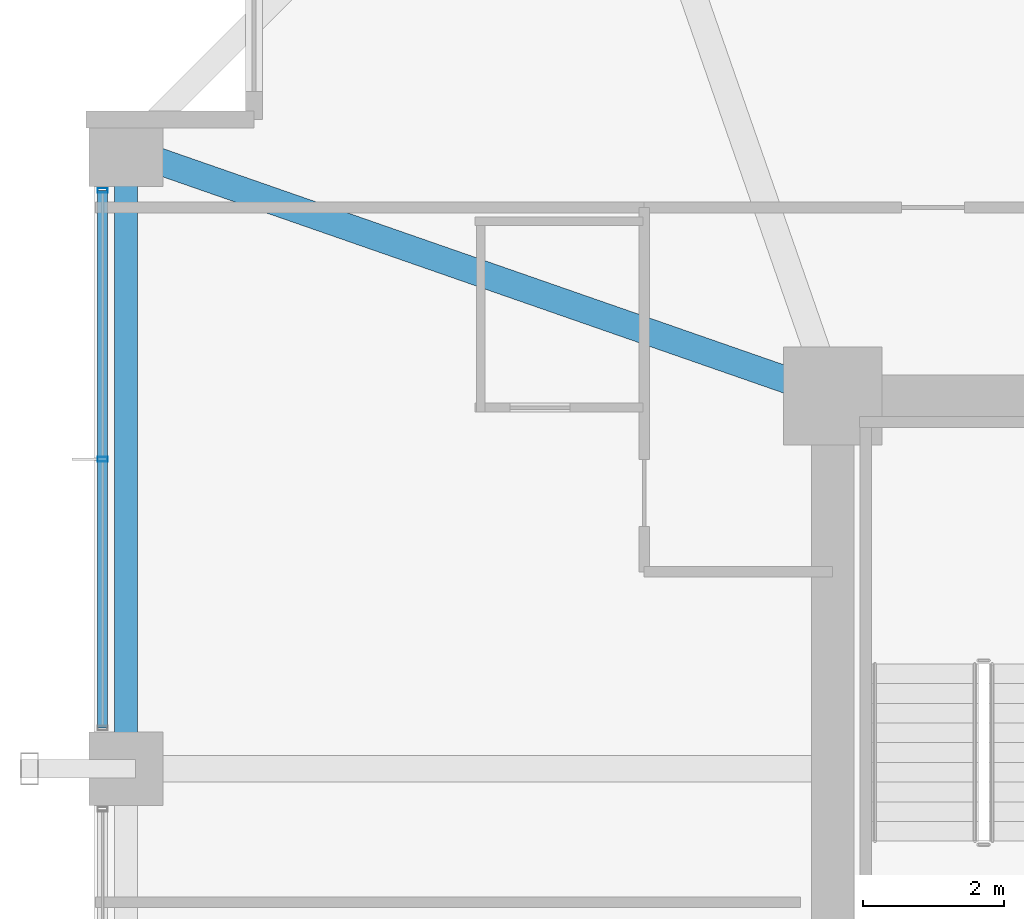
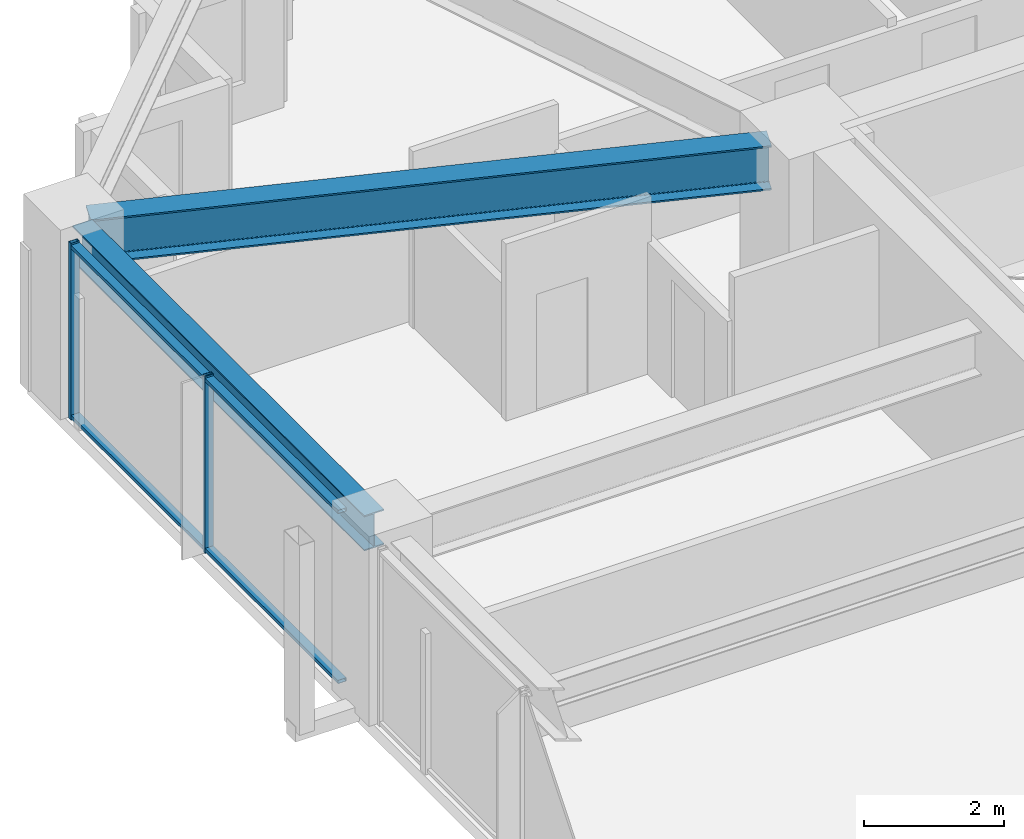
# One storey, part 18 of 38: 4 members, 2 beams, 1 element without a shape of its own.
"""IFC4 building model written with IfcOpenShell, lengths in metres."""

from ifc_helpers import new_model, si_unit, direction, frame, origin, origin_2d, place, context, subcontext, project, spatial, hollow_rectangle, i_section, extrude, material, material_profile, profile_set, type_object, element, aggregate, save


model = new_model("IFC4")

# Units and contexts
model_context = context("Model", 3, precision=1e-05, world=origin(), true_north=direction((0.0, 1.0)))
body_context = subcontext(model_context, "Body", "Model", "MODEL_VIEW")
ifc_project = project(units=[si_unit("LENGTHUNIT", "METRE"), si_unit("AREAUNIT", "SQUARE_METRE"), si_unit("VOLUMEUNIT", "CUBIC_METRE"), si_unit("PLANEANGLEUNIT", "RADIAN"), si_unit("MASSUNIT", "GRAM", prefix="KILO")], contexts=[model_context])

# Site, building, storey
site_placement = place(None, origin())
site = spatial("IfcSite", under=ifc_project, at=site_placement, CompositionType="ELEMENT")
building_placement = place(site_placement, origin())
building = spatial("IfcBuilding", under=site, at=building_placement, Name="Kolvaren Belvedere", CompositionType="ELEMENT")
storey_placement = place(building_placement, frame((0.0, 0.0, 78.800048828125)))
storey = spatial("IfcBuildingStorey", under=building, at=storey_placement, Name="L22", CompositionType="ELEMENT", Elevation=78.800048828125)

# Beams
ifc_material_1 = material(Name="Structural steel ASTM A992 Grade 50", Category="steel")
ifc_material_profile_1 = material_profile(ifc_material_1, i_section(OverallWidth=0.381103515625, OverallDepth=0.77294921875, WebThickness=0.0166015625, FlangeThickness=0.027099609375, FilletRadius=0.02392578125, at=origin_2d()), Name="W30X173")
ifc_profile_set_1 = profile_set([ifc_material_profile_1], Name="Structural steel ASTM A992 Grade 50")
beam_type_1 = type_object("IfcBeamType", Name="BM-GIRD-W30X173", PredefinedType="BEAM", material=ifc_profile_set_1)
beam_1_placement = place(storey_placement, frame((-10.41943359375, 10.080810546875, 2.693359375), z_axis=(-0.944371408538, 0.328880894453, 0.0), x_axis=(-0.328880894453, -0.944371408538, 0.0)))
element("IfcBeam", 1, at=beam_1_placement, inside=storey, type_object=beam_type_1, Name="L22 Corner Core-to-Perimeter Girder CC4-W4", PredefinedType="BEAM", context=body_context, shape_type="SweptSolid", body=[
    extrude(i_section(OverallWidth=0.381103515625, OverallDepth=0.77294921875, WebThickness=0.0166015625, FlangeThickness=0.027099609375, FilletRadius=0.02392578125, at=origin_2d()), origin(), (0.0, 0.0, 1.0), 9.882080078125),
])
ifc_material_2 = material(Name="Structural steel ASTM A992 Grade 50", Category="steel")
ifc_material_profile_2 = material_profile(ifc_material_2, i_section(OverallWidth=0.324951171875, OverallDepth=0.615966796875, WebThickness=0.013916015625, FlangeThickness=0.021484375, FilletRadius=0.02001953125, at=origin_2d()), Name="W24X117")
ifc_profile_set_2 = profile_set([ifc_material_profile_2], Name="Structural steel ASTM A992 Grade 50")
beam_type_2 = type_object("IfcBeamType", Name="BM-SPAN-W24X117", PredefinedType="SPANDREL", material=ifc_profile_set_2)
beam_2_placement = place(storey_placement, frame((-19.949951171875, 13.163818359375, 2.77197265625), z_axis=(0.0, -1.0, 0.0), x_axis=(1.0, 0.0, 0.0)))
element("IfcBeam", 2, at=beam_2_placement, inside=storey, type_object=beam_type_2, Name="L22 Perimeter Spandrel W4-W3", PredefinedType="SPANDREL", context=body_context, shape_type="SweptSolid", body=[
    extrude(i_section(OverallWidth=0.324951171875, OverallDepth=0.615966796875, WebThickness=0.013916015625, FlangeThickness=0.021484375, FilletRadius=0.02001953125, at=origin_2d()), origin(), (0.0, 0.0, 1.0), 8.32763671875),
])

# Curtain wall, members
ifc_material_3 = material(Name="Anodised pale-metal aluminium AA 6063-T6", Category="aluminium")
curtain_wall_type = type_object("IfcCurtainWallType", Name="CW-Z2-MID", PredefinedType="NOTDEFINED", material=ifc_material_3)
curtain_wall_placement = place(storey_placement, origin())
curtain_wall = element("IfcCurtainWall", 3, at=curtain_wall_placement, inside=storey, type_object=curtain_wall_type, Name="L22 Unitised Curtain Wall FCW-L22-W-B3", PredefinedType="NOTDEFINED")
ifc_material_4 = material(Name="Anodised pale-metal aluminium AA 6063-T6", Category="aluminium")
ifc_material_profile_3 = material_profile(ifc_material_4, hollow_rectangle(XDim=0.06494140625, YDim=0.139892578125, WallThickness=0.00390625, at=origin_2d()), Name="ALU-MUL-140X65")
ifc_profile_set_3 = profile_set([ifc_material_profile_3], Name="Anodised pale-metal aluminium AA 6063-T6")
member_type_1 = type_object("IfcMemberType", Name="CW-MUL-140", PredefinedType="MULLION", material=ifc_profile_set_3)
member_1_placement = place(storey_placement, frame((-20.280029296875, 9.0, 0.0), z_axis=(0.0, 0.0, 1.0), x_axis=(0.0, 1.0, 0.0)))
member_1 = element("IfcMember", 4, at=member_1_placement, type_object=member_type_1, Name="FCW-L22-W-B3 Unitised Mullion 2", PredefinedType="MULLION", context=body_context, shape_type="SweptSolid", body=[
    extrude(hollow_rectangle(XDim=0.06494140625, YDim=0.139892578125, WallThickness=0.00390625, at=origin_2d()), origin(), (0.0, 0.0, 1.0), 3.079833984375),
])
member_2_placement = place(storey_placement, frame((-20.280029296875, 12.822509765625, 0.0), z_axis=(0.0, 0.0, 1.0), x_axis=(0.0, 1.0, 0.0)))
member_2 = element("IfcMember", 5, at=member_2_placement, type_object=member_type_1, Name="FCW-L22-W-B3 Unitised Mullion 3", PredefinedType="MULLION", context=body_context, shape_type="SweptSolid", body=[
    extrude(hollow_rectangle(XDim=0.06494140625, YDim=0.139892578125, WallThickness=0.00390625, at=origin_2d()), origin(), (0.0, 0.0, 1.0), 3.079833984375),
])
ifc_material_5 = material(Name="Anodised pale-metal aluminium AA 6063-T6", Category="aluminium")
ifc_material_profile_4 = material_profile(ifc_material_5, hollow_rectangle(XDim=0.06005859375, YDim=0.139892578125, WallThickness=0.00390625, at=origin_2d()), Name="ALU-TRN-140X60")
ifc_profile_set_4 = profile_set([ifc_material_profile_4], Name="Anodised pale-metal aluminium AA 6063-T6")
member_type_2 = type_object("IfcMemberType", Name="CW-TRN-140", PredefinedType="USERDEFINED", material=ifc_profile_set_4)
member_3_placement = place(storey_placement, frame((-20.280029296875, 5.177490234375, 0.06005859375), z_axis=(0.0, 1.0, 0.0), x_axis=(0.0, 0.0, 1.0)))
member_3 = element("IfcMember", 6, at=member_3_placement, type_object=member_type_2, Name="FCW-L22-W-B3 Sill Transom", ObjectType="TRANSOM", PredefinedType="USERDEFINED", context=body_context, shape_type="SweptSolid", body=[
    extrude(hollow_rectangle(XDim=0.06005859375, YDim=0.139892578125, WallThickness=0.00390625, at=origin_2d()), origin(), (0.0, 0.0, 1.0), 7.64501953125),
])
member_4_placement = place(storey_placement, frame((-20.280029296875, 5.177490234375, 3.02001953125), z_axis=(0.0, 1.0, 0.0), x_axis=(0.0, 0.0, 1.0)))
member_4 = element("IfcMember", 7, at=member_4_placement, type_object=member_type_2, Name="FCW-L22-W-B3 Head Transom", ObjectType="TRANSOM", PredefinedType="USERDEFINED", context=body_context, shape_type="SweptSolid", body=[
    extrude(hollow_rectangle(XDim=0.06005859375, YDim=0.139892578125, WallThickness=0.00390625, at=origin_2d()), origin(), (0.0, 0.0, 1.0), 7.64501953125),
])
aggregate(curtain_wall, [member_1, member_2, member_3, member_4])

save(model, "model.ifc")
